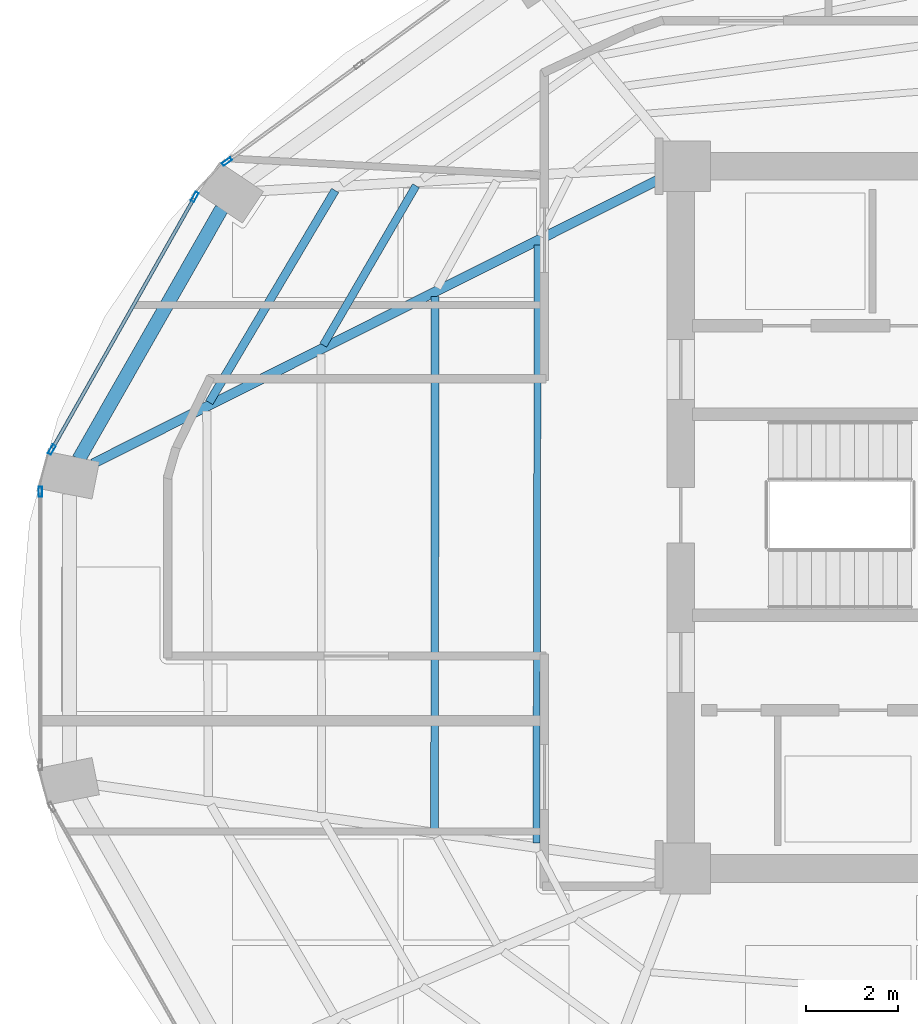
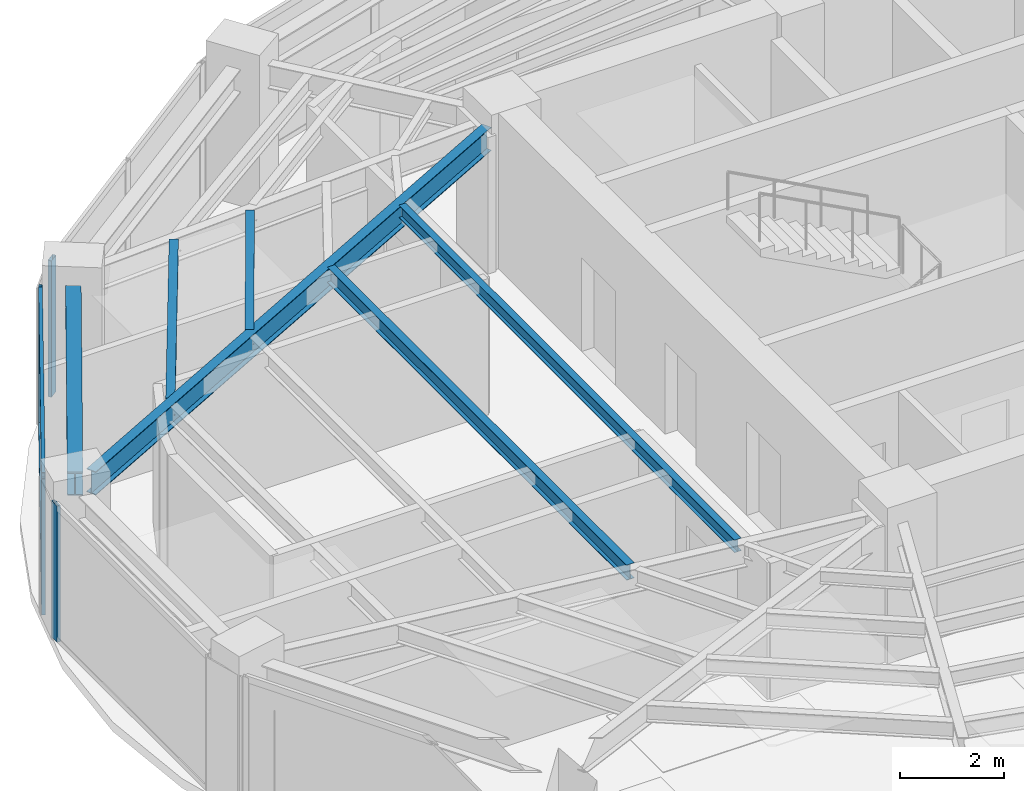
# One storey, part 6 of 20: 6 beams, 6 members, 3 elements without a shape of their own.
"""IFC4 building model written with IfcOpenShell, lengths in metres."""

from ifc_helpers import new_model, si_unit, direction, frame, origin, origin_2d, place, context, subcontext, project, spatial, hollow_rectangle, i_section, extrude, material, layer, layer_set, material_profile, profile_set, type_object, element, aggregate, save


model = new_model("IFC4")

# Units and contexts
model_context = context("Model", 3, precision=1e-05, world=origin(), true_north=direction((0.0, 1.0)))
body_context = subcontext(model_context, "Body", "Model", "MODEL_VIEW")
ifc_project = project(units=[si_unit("LENGTHUNIT", "METRE"), si_unit("AREAUNIT", "SQUARE_METRE"), si_unit("VOLUMEUNIT", "CUBIC_METRE"), si_unit("PLANEANGLEUNIT", "RADIAN"), si_unit("MASSUNIT", "GRAM", prefix="KILO")], contexts=[model_context])

# Site, building, storey
site_placement = place(None, origin())
site = spatial("IfcSite", under=ifc_project, at=site_placement, CompositionType="ELEMENT")
building_placement = place(site_placement, origin())
building = spatial("IfcBuilding", under=site, at=building_placement, Name="Lazwardi Medical Tower", CompositionType="ELEMENT")
storey_placement = place(building_placement, frame((0.0, 0.0, 185.7119140625)))
storey = spatial("IfcBuildingStorey", under=building, at=storey_placement, Name="L48", CompositionType="ELEMENT", Elevation=185.7119140625)

# Beams
ifc_material_1 = material(Name="Steel S355", Category="steel")
ifc_material_profile_1 = material_profile(ifc_material_1, i_section(OverallWidth=0.300048828125, OverallDepth=0.550048828125, WebThickness=0.014892578125, FlangeThickness=0.029052734375, at=origin_2d()), Name="HEB 550")
ifc_profile_set_1 = profile_set([ifc_material_profile_1], Name="Steel S355")
beam_type_1 = type_object("IfcBeamType", Name="BM-RB-Z3", PredefinedType="BEAM", material=ifc_profile_set_1)
beam_1_placement = place(storey_placement, frame((16.3662109375, 34.683349609375, 2.923095703125), z_axis=(-0.495477752551, -0.868620628771, 0.0), x_axis=(0.868620628771, -0.495477752551, 0.0)))
element("IfcBeam", 1, at=beam_1_placement, inside=storey, type_object=beam_type_1, Name="Ring beam RB-04 B11 L48", PredefinedType="BEAM", context=body_context, shape_type="SweptSolid", body=[
    extrude(i_section(OverallWidth=0.300048828125, OverallDepth=0.550048828125, WebThickness=0.014892578125, FlangeThickness=0.029052734375, at=origin_2d()), origin(), (0.0, 0.0, 1.0), 6.244384765625),
])
ifc_material_profile_2 = material_profile(ifc_material_1, i_section(OverallWidth=0.2099609375, OverallDepth=0.550048828125, WebThickness=0.010986328125, FlangeThickness=0.01708984375, at=origin_2d()), Name="IPE 550")
ifc_profile_set_2 = profile_set([ifc_material_profile_2], Name="Steel S355")
beam_type_2 = type_object("IfcBeamType", Name="BM-RG-W2", PredefinedType="BEAM", material=ifc_profile_set_2)
beam_2_placement = place(storey_placement, frame((13.57470703125, 29.162841796875, 2.923095703125), z_axis=(0.893740468624, 0.448584412061, 0.0), x_axis=(-0.448584412061, 0.893740468624, 0.0)))
element("IfcBeam", 2, at=beam_2_placement, inside=storey, type_object=beam_type_2, Name="Radial girder RG-03 R12 L48", PredefinedType="BEAM", context=body_context, shape_type="SweptSolid", body=[
    extrude(i_section(OverallWidth=0.2099609375, OverallDepth=0.550048828125, WebThickness=0.010986328125, FlangeThickness=0.01708984375, at=origin_2d()), origin(), (0.0, 0.0, 1.0), 13.815185546875),
])
ifc_material_profile_3 = material_profile(ifc_material_1, i_section(OverallWidth=0.179931640625, OverallDepth=0.39990234375, WebThickness=0.008544921875, FlangeThickness=0.013427734375, at=origin_2d()), Name="IPE 400")
ifc_profile_set_3 = profile_set([ifc_material_profile_3], Name="Steel S355")
beam_type_3 = type_object("IfcBeamType", Name="BM-SJ-01", PredefinedType="JOIST", material=ifc_profile_set_3)
beam_3_placement = place(storey_placement, frame((18.82080078125, 35.078369140625, 2.998046875), z_axis=(-0.510569396963, -0.859836548935, 0.0), x_axis=(0.859836548935, -0.510569396963, 0.0)))
element("IfcBeam", 3, at=beam_3_placement, inside=storey, type_object=beam_type_3, Name="Secondary joist SJ-01 R1 B11 L48", PredefinedType="JOIST", context=body_context, shape_type="SweptSolid", body=[
    extrude(i_section(OverallWidth=0.179931640625, OverallDepth=0.39990234375, WebThickness=0.008544921875, FlangeThickness=0.013427734375, at=origin_2d()), origin(), (0.0, 0.0, 1.0), 5.33837890625),
])
ifc_material_profile_4 = material_profile(ifc_material_1, i_section(OverallWidth=0.169921875, OverallDepth=0.360107421875, WebThickness=0.008056640625, FlangeThickness=0.0126953125, at=origin_2d()), Name="IPE 360")
ifc_profile_set_4 = profile_set([ifc_material_profile_4], Name="Steel S355")
beam_type_4 = type_object("IfcBeamType", Name="BM-SJ-02", PredefinedType="JOIST", material=ifc_profile_set_4)
beam_4_placement = place(storey_placement, frame((20.5703125, 35.17919921875, 3.01806640625), z_axis=(-0.502665102216, -0.864481228839, 0.0), x_axis=(0.864481228839, -0.502665102216, 0.0)))
element("IfcBeam", 4, at=beam_4_placement, inside=storey, type_object=beam_type_4, Name="Secondary joist SJ-02 R2 B11 L48", PredefinedType="JOIST", context=body_context, shape_type="SweptSolid", body=[
    extrude(i_section(OverallWidth=0.169921875, OverallDepth=0.360107421875, WebThickness=0.008056640625, FlangeThickness=0.0126953125, at=origin_2d()), origin(), (0.0, 0.0, 1.0), 3.991943359375),
])
beam_5_placement = place(storey_placement, frame((20.98291015625, 32.78125, 3.01806640625), z_axis=(-0.000805852776, -0.999999675301, 0.0), x_axis=(0.999999675301, -0.000805852776, 0.0)))
element("IfcBeam", 5, at=beam_5_placement, inside=storey, type_object=beam_type_4, Name="Secondary joist SJ-02 R3 B12 L48", PredefinedType="JOIST", context=body_context, shape_type="SweptSolid", body=[
    extrude(i_section(OverallWidth=0.169921875, OverallDepth=0.360107421875, WebThickness=0.008056640625, FlangeThickness=0.0126953125, at=origin_2d()), origin(), (0.0, 0.0, 1.0), 11.512451171875),
])
ifc_material_profile_5 = material_profile(ifc_material_1, i_section(OverallWidth=0.14990234375, OverallDepth=0.300048828125, WebThickness=0.007080078125, FlangeThickness=0.0107421875, at=origin_2d()), Name="IPE 300")
ifc_profile_set_5 = profile_set([ifc_material_profile_5], Name="Steel S355")
beam_type_5 = type_object("IfcBeamType", Name="BM-SJ-03", PredefinedType="JOIST", material=ifc_profile_set_5)
beam_6_placement = place(storey_placement, frame((23.205078125, 33.896484375, 3.048095703125), z_axis=(-0.002150897838, -0.999997686817, 0.0), x_axis=(0.999997686817, -0.002150897838, 0.0)))
element("IfcBeam", 6, at=beam_6_placement, inside=storey, type_object=beam_type_5, Name="Secondary joist SJ-03 R4 B12 L48", PredefinedType="JOIST", context=body_context, shape_type="SweptSolid", body=[
    extrude(i_section(OverallWidth=0.14990234375, OverallDepth=0.300048828125, WebThickness=0.007080078125, FlangeThickness=0.0107421875, at=origin_2d()), origin(), (0.0, 0.0, 1.0), 12.939697265625),
])

# Curtain wall, member
ifc_material_2 = material(Name="Anodised bronze aluminium and solar control glazing", Category="aluminium")
ifc_layer = layer(ifc_material_2, 0.195068359375)
ifc_layer_set = layer_set([ifc_layer], Name="Anodised bronze aluminium and solar control glazing")
curtain_wall_type = type_object("IfcCurtainWallType", Name="CW-SYS-03", PredefinedType="NOTDEFINED", material=ifc_layer_set)
curtain_wall_1_placement = place(storey_placement, origin())
curtain_wall_1 = element("IfcCurtainWall", 7, at=curtain_wall_1_placement, inside=storey, type_object=curtain_wall_type, Name="L48 Unitised bronze curtain wall CW-03", PredefinedType="NOTDEFINED")
ifc_material_3 = material(Name="Anodised bronze aluminium", Category="aluminium")
ifc_material_profile_6 = material_profile(ifc_material_3, hollow_rectangle(XDim=0.074951171875, YDim=0.219970703125, WallThickness=0.00390625, at=origin_2d()), Name="ALU-MULLION 220x75x4")
ifc_profile_set_6 = profile_set([ifc_material_profile_6], Name="Anodised bronze aluminium")
member_type_1 = type_object("IfcMemberType", Name="CW-MUL-01", PredefinedType="MULLION", material=ifc_profile_set_6)
member_1_placement = place(storey_placement, frame((16.480224609375, 35.702880859375, 0.0), z_axis=(0.0, 0.0, 1.0), x_axis=(0.590833862635, -0.806793249082, 0.0)))
member_1 = element("IfcMember", 8, at=member_1_placement, type_object=member_type_1, Name="CW-03 mullion 3", PredefinedType="MULLION", context=body_context, shape_type="SweptSolid", body=[
    extrude(hollow_rectangle(XDim=0.074951171875, YDim=0.219970703125, WallThickness=0.00390625, at=origin_2d()), origin(), (0.0, 0.0, 1.0), 3.197998046875),
])
aggregate(curtain_wall_1, [member_1])

# Curtain wall, members
curtain_wall_2_placement = place(storey_placement, origin())
curtain_wall_2 = element("IfcCurtainWall", 9, at=curtain_wall_2_placement, inside=storey, type_object=curtain_wall_type, Name="L48 Unitised bronze curtain wall CW-03", PredefinedType="NOTDEFINED")
member_2_placement = place(storey_placement, frame((15.782470703125, 34.936767578125, 0.0), z_axis=(0.0, 0.0, 1.0), x_axis=(0.870418989303, -0.492311672683, 0.0)))
member_2 = element("IfcMember", 10, at=member_2_placement, type_object=member_type_1, Name="CW-03 mullion 1", PredefinedType="MULLION", context=body_context, shape_type="SweptSolid", body=[
    extrude(hollow_rectangle(XDim=0.074951171875, YDim=0.219970703125, WallThickness=0.00390625, at=origin_2d()), origin(), (0.0, 0.0, 1.0), 3.197998046875),
])
member_3_placement = place(storey_placement, frame((12.68896484375, 29.46728515625, 0.0), z_axis=(0.0, 0.0, 1.0), x_axis=(0.870418989303, -0.492311672683, 0.0)))
member_3 = element("IfcMember", 11, at=member_3_placement, type_object=member_type_1, Name="CW-03 mullion 2", PredefinedType="MULLION", context=body_context, shape_type="SweptSolid", body=[
    extrude(hollow_rectangle(XDim=0.074951171875, YDim=0.219970703125, WallThickness=0.00390625, at=origin_2d()), origin(), (0.0, 0.0, 1.0), 3.197998046875),
])

# Curtain wall, member
curtain_wall_3_placement = place(storey_placement, origin())
curtain_wall_3 = element("IfcCurtainWall", 12, at=curtain_wall_3_placement, inside=storey, type_object=curtain_wall_type, Name="L48 Unitised bronze curtain wall CW-03", PredefinedType="NOTDEFINED")
member_4_placement = place(storey_placement, frame((12.4423828125, 28.557861328125, 0.0), z_axis=(0.0, 0.0, 1.0), x_axis=(1.0, 0.0, 0.0)))
member_4 = element("IfcMember", 13, at=member_4_placement, type_object=member_type_1, Name="CW-03 mullion 1", PredefinedType="MULLION", context=body_context, shape_type="SweptSolid", body=[
    extrude(hollow_rectangle(XDim=0.074951171875, YDim=0.219970703125, WallThickness=0.00390625, at=origin_2d()), origin(), (0.0, 0.0, 1.0), 3.197998046875),
])
aggregate(curtain_wall_3, [member_4])

# Member
ifc_material_profile_7 = material_profile(ifc_material_3, hollow_rectangle(XDim=0.074951171875, YDim=0.159912109375, WallThickness=0.00390625, at=origin_2d()), Name="ALU-TRANSOM 160x75x4")
ifc_profile_set_7 = profile_set([ifc_material_profile_7], Name="Anodised bronze aluminium")
member_type_2 = type_object("IfcMemberType", Name="CW-TRN-01", PredefinedType="USERDEFINED", material=ifc_profile_set_7)
member_5_placement = place(storey_placement, frame((15.763916015625, 34.904052734375, 0.03759765625), z_axis=(-0.492322860598, -0.870412661289, 0.0), x_axis=(0.870412661289, -0.492322860598, 0.0)))
member_5 = element("IfcMember", 14, at=member_5_placement, type_object=member_type_2, Name="CW-03 transom 1.1", ObjectType="TRANSOM", PredefinedType="USERDEFINED", context=body_context, shape_type="SweptSolid", body=[
    extrude(hollow_rectangle(XDim=0.074951171875, YDim=0.159912109375, WallThickness=0.00390625, at=origin_2d()), origin(), (0.0, 0.0, 1.0), 6.20849609375),
])

member_6_placement = place(storey_placement, frame((15.763916015625, 34.904052734375, 3.16064453125), z_axis=(-0.492322860598, -0.870412661289, 0.0), x_axis=(0.870412661289, -0.492322860598, 0.0)))
member_6 = element("IfcMember", 15, at=member_6_placement, type_object=member_type_2, Name="CW-03 transom 1.2", ObjectType="TRANSOM", PredefinedType="USERDEFINED", context=body_context, shape_type="SweptSolid", body=[
    extrude(hollow_rectangle(XDim=0.074951171875, YDim=0.159912109375, WallThickness=0.00390625, at=origin_2d()), origin(), (0.0, 0.0, 1.0), 6.20849609375),
])

aggregate(curtain_wall_2, [member_2, member_3, member_5, member_6])

save(model, "model.ifc")
